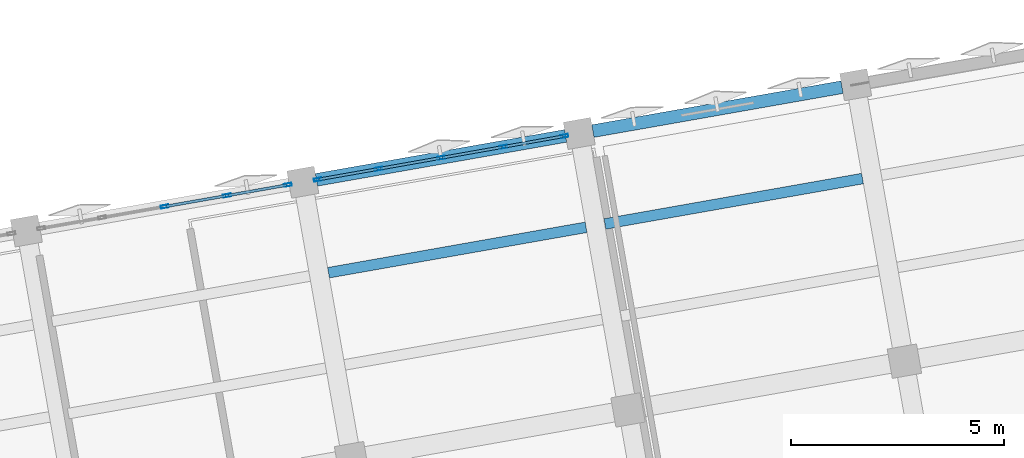
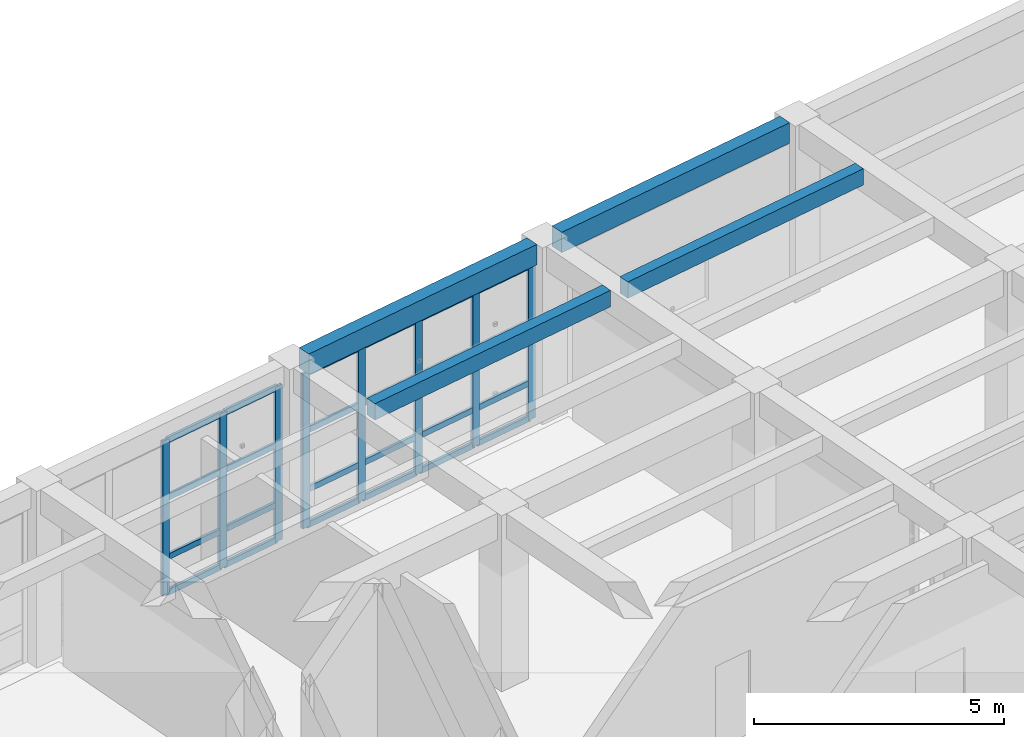
# One storey, part 17 of 48: 32 members, 4 beams, 2 elements without a shape of their own.
"""IFC4 building model written with IfcOpenShell, lengths in metres."""

import ifcopenshell
import ifcopenshell.guid

model = None  # the IFC model being written
_history = None  # IfcOwnerHistory: only IFC2X3 demands one
_inside = {}  # id of a spatial element -> (the spatial element, [elements in it])
_under = {}  # id of a project, library or spatial element -> (it, [spatial elements below it])
_declared = {}  # id of a project -> (the project, [libraries it declares])
_typed = {}  # id of a type object -> (the type object, [elements of that type])
_made_of = {}  # id of a material, layer set ... -> (it, [elements and type objects made of it])


def new_model(schema):
    """Start an empty IFC model of exactly this schema.

    Asked for "IFC4X3", IfcOpenShell would pick the latest addendum, in which some entities
    have other attributes; the version numbers below select the first issue.
    IFC2X3 requires an IfcOwnerHistory on every rooted entity: one is made here for all.
    """
    global model, _history
    if schema == "IFC4X3":
        model = ifcopenshell.file(schema_version=(4, 3, 0, 0))
    else:
        model = ifcopenshell.file(schema=schema)
    _inside.clear()
    _under.clear()
    _declared.clear()
    _typed.clear()
    _made_of.clear()
    _history = None
    if model.schema == "IFC2X3":
        org = make("IfcOrganization", Name="unknown")
        user = make(
            "IfcPersonAndOrganization",
            ThePerson=make("IfcPerson", FamilyName="unknown"),
            TheOrganization=org,
        )
        app = make(
            "IfcApplication",
            ApplicationDeveloper=org,
            Version="unknown",
            ApplicationFullName="unknown",
            ApplicationIdentifier="unknown",
        )
        _history = make(
            "IfcOwnerHistory",
            OwningUser=user,
            OwningApplication=app,
            ChangeAction="ADDED",
            CreationDate=0,
        )
    return model


def make(cls, **values):
    """One entity of the class cls with the attributes given. An attribute that is None is left unset."""
    return model.create_entity(
        cls, **{name: value for name, value in values.items() if value is not None}
    )


def rooted(cls, **values):
    """An entity with a GlobalId (a new one), such as an element, a storey or a relation."""
    return make(cls, GlobalId=ifcopenshell.guid.new(), OwnerHistory=_history, **values)


def si_unit(unit_type, name, prefix=None):
    """IfcSIUnit, for example si_unit("LENGTHUNIT", "METRE", prefix="MILLI")."""
    return make("IfcSIUnit", UnitType=unit_type, Prefix=prefix, Name=name)


def assignment(units):
    """IfcUnitAssignment: the units of a project."""
    return None if units is None else make("IfcUnitAssignment", Units=units)


def point(xyz):
    """IfcCartesianPoint."""
    return None if xyz is None else make("IfcCartesianPoint", Coordinates=xyz)


def direction(xyz):
    """IfcDirection."""
    return None if xyz is None else make("IfcDirection", DirectionRatios=xyz)


def frame(location, z_axis=None, x_axis=None):
    """IfcAxis2Placement3D, a coordinate frame: its origin and axes. An axis left out is left unset."""
    return make(
        "IfcAxis2Placement3D",
        Location=point(location),
        Axis=direction(z_axis),
        RefDirection=direction(x_axis),
    )


def frame_2d(location, x_axis=None):
    """IfcAxis2Placement2D, a coordinate frame in the plane: its origin and x axis."""
    return make(
        "IfcAxis2Placement2D", Location=point(location), RefDirection=direction(x_axis)
    )


def origin():
    """The frame at (0, 0, 0) with its axes left unset."""
    return frame((0.0, 0.0, 0.0))


def origin_2d():
    """The frame at (0, 0) in the plane with its x axis left unset."""
    return frame_2d((0.0, 0.0))


def place(relative_to, where):
    """IfcLocalPlacement: puts the frame where relative to a parent placement (None: the world)."""
    return make(
        "IfcLocalPlacement", PlacementRelTo=relative_to, RelativePlacement=where
    )


def context(
    kind, dimensions, precision=None, world=None, true_north=None, identifier=None
):
    """IfcGeometricRepresentationContext, for example the 3D "Model" context."""
    return make(
        "IfcGeometricRepresentationContext",
        ContextIdentifier=identifier,
        ContextType=kind,
        CoordinateSpaceDimension=dimensions,
        Precision=precision,
        WorldCoordinateSystem=world,
        TrueNorth=true_north,
    )


def subcontext(parent, identifier, kind, view, scale=None):
    """IfcGeometricRepresentationSubContext, for example "Body" below "Model"."""
    return make(
        "IfcGeometricRepresentationSubContext",
        ContextIdentifier=identifier,
        ContextType=kind,
        ParentContext=parent,
        TargetScale=scale,
        TargetView=view,
    )


def project(units=None, contexts=None):
    """IfcProject with its units and contexts."""
    return rooted(
        "IfcProject",
        Name="project",
        RepresentationContexts=contexts,
        UnitsInContext=assignment(units),
    )


def spatial(cls, under=None, at=None, **own):
    """A site, building, storey or space (cls), placed at a placement, below another one or the project."""
    s = rooted(cls, ObjectPlacement=at, **own)
    if under is not None:
        _under.setdefault(under.id(), (under, []))[1].append(s)
    return s


def profile(cls, at=None, kind="AREA", **sizes):
    """A parametric profile (cls). Its sizes go by their IFC names, for example OverallWidth=200.0."""
    return make(cls, ProfileType=kind, Position=at, **sizes)


def rectangle(**sizes):
    """IfcRectangleProfileDef."""
    return profile("IfcRectangleProfileDef", **sizes)


def hollow_rectangle(**sizes):
    """IfcRectangleHollowProfileDef."""
    return profile("IfcRectangleHollowProfileDef", **sizes)


def extrude(swept, where, along, depth):
    """IfcExtrudedAreaSolid: the profile swept, set in the frame where, extruded along a direction by depth."""
    return make(
        "IfcExtrudedAreaSolid",
        SweptArea=swept,
        Position=where,
        ExtrudedDirection=direction(along),
        Depth=depth,
    )


def shape(context_of_items, identifier, shape_type, items):
    """IfcShapeRepresentation: the items that make up one representation, for example the "Body"."""
    return make(
        "IfcShapeRepresentation",
        ContextOfItems=context_of_items,
        RepresentationIdentifier=identifier,
        RepresentationType=shape_type,
        Items=items,
    )


def material(Name=None, Category=None):
    """IfcMaterial."""
    return make("IfcMaterial", Name=Name, Category=Category)


def layer(
    of_material, thickness, ventilated=None, Name=None, Category=None, Priority=None
):
    """IfcMaterialLayer: one layer of a wall or slab, of a material (None: an air gap)."""
    return make(
        "IfcMaterialLayer",
        Material=of_material,
        LayerThickness=thickness,
        IsVentilated=ventilated,
        Name=Name,
        Category=Category,
        Priority=Priority,
    )


def layer_set(layers, Name=None):
    """IfcMaterialLayerSet."""
    return make("IfcMaterialLayerSet", MaterialLayers=layers, LayerSetName=Name)


def material_profile(
    of_material, cross_section, Name=None, Category=None, Priority=None
):
    """IfcMaterialProfile: a cross section and its material."""
    return make(
        "IfcMaterialProfile",
        Name=Name,
        Material=of_material,
        Profile=cross_section,
        Priority=Priority,
        Category=Category,
    )


def profile_set(profiles, Name=None, composite=None):
    """IfcMaterialProfileSet."""
    return make(
        "IfcMaterialProfileSet",
        Name=Name,
        MaterialProfiles=profiles,
        CompositeProfile=composite,
    )


def made_of(thing, what):
    """Note that an element or type object is made of a material, layer set ...; save() writes the relation."""
    if what is not None:
        _made_of.setdefault(what.id(), (what, []))[1].append(thing)
    return thing


def type_object(cls, material=None, **own):
    """A type object (cls), such as IfcWallType, which elements share."""
    return made_of(rooted(cls, **own), material)


def element(
    cls,
    number,
    at=None,
    inside=None,
    cuts=None,
    type_object=None,
    material=None,
    context=None,
    identifier="Body",
    shape_type=None,
    held_by="IfcProductDefinitionShape",
    body=None,
    shapes=None,
    **own,
):
    """One element of the class cls, such as IfcWall. Its Tag is "e" and its number.

    at: its placement. inside: the storey or other place that contains it. cuts: it is an
    opening in that element (IfcRelVoidsElement). A single representation is given by context,
    identifier, shape_type and body (its items); several are given by shapes. held_by: the class
    of the entity that holds the representations. save() writes the other relations.
    """
    e = rooted(cls, Tag="e%d" % number, ObjectPlacement=at, **own)
    if body is not None:
        shapes = [shape(context, identifier, shape_type, body)]
    if shapes is not None:
        e.Representation = make(held_by, Representations=shapes)
    if inside is not None:
        _inside.setdefault(inside.id(), (inside, []))[1].append(e)
    if cuts is not None:
        rooted(
            "IfcRelVoidsElement", RelatingBuildingElement=cuts, RelatedOpeningElement=e
        )
    if type_object is not None:
        _typed.setdefault(type_object.id(), (type_object, []))[1].append(e)
    return made_of(e, material)


def aggregate(whole, parts):
    """IfcRelAggregates: a whole, such as a stair, and the parts it consists of."""
    return rooted("IfcRelAggregates", RelatingObject=whole, RelatedObjects=parts)


def save(model, path):
    """Write the relations noted so far, then the file.

    IfcRelAggregates (storeys below a building ...), IfcRelContainedInSpatialStructure (elements
    in a storey), IfcRelDefinesByType, IfcRelAssociatesMaterial and IfcRelDeclares: one each for
    every whole, place, type object, material and project.
    """
    for whole, parts in _under.values():
        aggregate(whole, parts)
    for where, things in _inside.values():
        rooted(
            "IfcRelContainedInSpatialStructure",
            RelatedElements=things,
            RelatingStructure=where,
        )
    for kind, things in _typed.values():
        rooted("IfcRelDefinesByType", RelatedObjects=things, RelatingType=kind)
    for what, things in _made_of.values():
        rooted("IfcRelAssociatesMaterial", RelatedObjects=things, RelatingMaterial=what)
    for by, libraries in _declared.values():
        rooted("IfcRelDeclares", RelatingContext=by, RelatedDefinitions=libraries)
    model.write(path)


model = new_model("IFC4")

# Units and contexts
model_context = context("Model", 3, precision=1e-05, world=origin(), true_north=direction((0.0, 1.0)))
body_context = subcontext(model_context, "Body", "Model", "MODEL_VIEW")
ifc_project = project(units=[si_unit("LENGTHUNIT", "METRE"), si_unit("AREAUNIT", "SQUARE_METRE"), si_unit("VOLUMEUNIT", "CUBIC_METRE"), si_unit("PLANEANGLEUNIT", "RADIAN"), si_unit("MASSUNIT", "GRAM", prefix="KILO")], contexts=[model_context])

# Site, building, storey
site_placement = place(None, origin())
site = spatial("IfcSite", under=ifc_project, at=site_placement, CompositionType="ELEMENT")
building_placement = place(site_placement, origin())
building = spatial("IfcBuilding", under=site, at=building_placement, Name="Kharisveld Research Institute", CompositionType="ELEMENT")
storey_placement = place(building_placement, frame((0.0, 0.0, 14.10009765625)))
storey = spatial("IfcBuildingStorey", under=building, at=storey_placement, Name="L03", CompositionType="ELEMENT", Elevation=14.10009765625)

# Curtain wall, members
ifc_material_1 = material(Name="Thermally Broken Aluminium Curtain Wall", Category="aluminium")
ifc_layer_1 = layer(ifc_material_1, 0.159912109375)
ifc_layer_set_1 = layer_set([ifc_layer_1], Name="CW_SYS_02")
curtain_wall_type_1 = type_object("IfcCurtainWallType", Name="CW_SYS_02", PredefinedType="NOTDEFINED", material=ifc_layer_set_1)
curtain_wall_1_placement = place(storey_placement, origin())
curtain_wall_1 = element("IfcCurtainWall", 1, at=curtain_wall_1_placement, inside=storey, type_object=curtain_wall_type_1, Name="CW:V1:L03:N2", PredefinedType="NOTDEFINED")
ifc_material_2 = material(Name="Anodised Aluminium AW-6063-T6", Category="aluminium")
ifc_material_profile_1 = material_profile(ifc_material_2, hollow_rectangle(XDim=0.070068359375, YDim=0.179931640625, WallThickness=0.00439453125, at=origin_2d()))
ifc_profile_set_1 = profile_set([ifc_material_profile_1], Name="Anodised Aluminium AW-6063-T6")
member_type_1 = type_object("IfcMemberType", Name="CW_MUL_180", PredefinedType="MULLION", material=ifc_profile_set_1)
member_1_placement = place(storey_placement, frame((18.010986328125, 57.374267578125, 0.0), z_axis=(0.0, 0.0, 1.0), x_axis=(-0.173648266375, 0.984807737371, 0.0)))
member_1 = element("IfcMember", 2, at=member_1_placement, type_object=member_type_1, Name="CW-02 mullion 3", PredefinedType="MULLION", context=body_context, shape_type="SweptSolid", body=[
    extrude(hollow_rectangle(XDim=0.070068359375, YDim=0.179931640625, WallThickness=0.00439453125, at=origin_2d()), origin(), (0.0, 0.0, 1.0), 3.77978515625),
])
member_2_placement = place(storey_placement, frame((19.478515625, 57.633056640625, 0.0), z_axis=(0.0, 0.0, 1.0), x_axis=(-0.173648266375, 0.984807737371, 0.0)))
member_2 = element("IfcMember", 3, at=member_2_placement, type_object=member_type_1, Name="CW-02 mullion 4", PredefinedType="MULLION", context=body_context, shape_type="SweptSolid", body=[
    extrude(hollow_rectangle(XDim=0.070068359375, YDim=0.179931640625, WallThickness=0.00439453125, at=origin_2d()), origin(), (0.0, 0.0, 1.0), 3.77978515625),
])
member_3_placement = place(storey_placement, frame((20.911376953125, 57.8857421875, 0.0), z_axis=(0.0, 0.0, 1.0), x_axis=(-0.173648266375, 0.984807737371, 0.0)))
member_3 = element("IfcMember", 4, at=member_3_placement, type_object=member_type_1, Name="CW-02 mullion 5", PredefinedType="MULLION", context=body_context, shape_type="SweptSolid", body=[
    extrude(hollow_rectangle(XDim=0.070068359375, YDim=0.179931640625, WallThickness=0.00439453125, at=origin_2d()), origin(), (0.0, 0.0, 1.0), 3.77978515625),
])

ifc_material_3 = material(Name="Thermally Broken Aluminium Curtain Wall", Category="aluminium")
ifc_layer_2 = layer(ifc_material_3, 0.159912109375)
ifc_layer_set_2 = layer_set([ifc_layer_2], Name="CW_SYS_03")
curtain_wall_type_2 = type_object("IfcCurtainWallType", Name="CW_SYS_03", PredefinedType="NOTDEFINED", material=ifc_layer_set_2)
curtain_wall_2_placement = place(storey_placement, origin())
curtain_wall_2 = element("IfcCurtainWall", 5, at=curtain_wall_2_placement, inside=storey, type_object=curtain_wall_type_2, Name="CW:V1:L03:N3", PredefinedType="NOTDEFINED")
member_4_placement = place(storey_placement, frame((21.610595703125, 58.009033203125, 0.0), z_axis=(0.0, 0.0, 1.0), x_axis=(-0.173648295062, 0.984807732312, 0.0)))
member_4 = element("IfcMember", 6, at=member_4_placement, type_object=member_type_1, Name="CW-03 mullion 1", PredefinedType="MULLION", context=body_context, shape_type="SweptSolid", body=[
    extrude(hollow_rectangle(XDim=0.070068359375, YDim=0.179931640625, WallThickness=0.00439453125, at=origin_2d()), origin(), (0.0, 0.0, 1.0), 3.77978515625),
])
member_5_placement = place(storey_placement, frame((23.04345703125, 58.26171875, 0.0), z_axis=(0.0, 0.0, 1.0), x_axis=(-0.173648295062, 0.984807732312, 0.0)))
member_5 = element("IfcMember", 7, at=member_5_placement, type_object=member_type_1, Name="CW-03 mullion 2", PredefinedType="MULLION", context=body_context, shape_type="SweptSolid", body=[
    extrude(hollow_rectangle(XDim=0.070068359375, YDim=0.179931640625, WallThickness=0.00439453125, at=origin_2d()), origin(), (0.0, 0.0, 1.0), 3.77978515625),
])
member_6_placement = place(storey_placement, frame((24.5107421875, 58.5205078125, 0.0), z_axis=(0.0, 0.0, 1.0), x_axis=(-0.173648295062, 0.984807732312, 0.0)))
member_6 = element("IfcMember", 8, at=member_6_placement, type_object=member_type_1, Name="CW-03 mullion 3", PredefinedType="MULLION", context=body_context, shape_type="SweptSolid", body=[
    extrude(hollow_rectangle(XDim=0.070068359375, YDim=0.179931640625, WallThickness=0.00439453125, at=origin_2d()), origin(), (0.0, 0.0, 1.0), 3.77978515625),
])
member_7_placement = place(storey_placement, frame((25.978271484375, 58.779296875, 0.0), z_axis=(0.0, 0.0, 1.0), x_axis=(-0.173648295062, 0.984807732312, 0.0)))
member_7 = element("IfcMember", 9, at=member_7_placement, type_object=member_type_1, Name="CW-03 mullion 4", PredefinedType="MULLION", context=body_context, shape_type="SweptSolid", body=[
    extrude(hollow_rectangle(XDim=0.070068359375, YDim=0.179931640625, WallThickness=0.00439453125, at=origin_2d()), origin(), (0.0, 0.0, 1.0), 3.77978515625),
])
member_8_placement = place(storey_placement, frame((27.4111328125, 59.03173828125, 0.0), z_axis=(0.0, 0.0, 1.0), x_axis=(-0.173648295062, 0.984807732312, 0.0)))
member_8 = element("IfcMember", 10, at=member_8_placement, type_object=member_type_1, Name="CW-03 mullion 5", PredefinedType="MULLION", context=body_context, shape_type="SweptSolid", body=[
    extrude(hollow_rectangle(XDim=0.070068359375, YDim=0.179931640625, WallThickness=0.00439453125, at=origin_2d()), origin(), (0.0, 0.0, 1.0), 3.77978515625),
])

# Member
ifc_material_4 = material(Name="Anodised Aluminium AW-6063-T6", Category="aluminium")
ifc_material_profile_2 = material_profile(ifc_material_4, hollow_rectangle(XDim=0.06494140625, YDim=0.139892578125, WallThickness=0.00390625, at=origin_2d()))
ifc_profile_set_2 = profile_set([ifc_material_profile_2], Name="Anodised Aluminium AW-6063-T6")
member_type_2 = type_object("IfcMemberType", Name="CW_TRN_140", PredefinedType="USERDEFINED", material=ifc_profile_set_2)
member_9_placement = place(storey_placement, frame((18.045654296875, 57.38037109375, 0.032470703125), z_axis=(0.984807780811, 0.17364802001, 0.0), x_axis=(-0.17364802001, 0.984807780811, 0.0)))
member_9 = element("IfcMember", 11, at=member_9_placement, type_object=member_type_2, Name="CW-02 transom 3.1", ObjectType="TRANSOM", PredefinedType="USERDEFINED", context=body_context, shape_type="SweptSolid", body=[
    extrude(hollow_rectangle(XDim=0.06494140625, YDim=0.139892578125, WallThickness=0.00390625, at=origin_2d()), origin(), (0.0, 0.0, 1.0), 1.419921875),
])

member_10_placement = place(storey_placement, frame((18.045654296875, 57.38037109375, 0.89990234375), z_axis=(0.984807780811, 0.17364802001, 0.0), x_axis=(-0.17364802001, 0.984807780811, 0.0)))
member_10 = element("IfcMember", 12, at=member_10_placement, type_object=member_type_2, Name="CW-02 transom 3.2", ObjectType="TRANSOM", PredefinedType="USERDEFINED", context=body_context, shape_type="SweptSolid", body=[
    extrude(hollow_rectangle(XDim=0.06494140625, YDim=0.139892578125, WallThickness=0.00390625, at=origin_2d()), origin(), (0.0, 0.0, 1.0), 1.419921875),
])

member_11_placement = place(storey_placement, frame((18.045654296875, 57.38037109375, 2.349853515625), z_axis=(0.984807780811, 0.17364802001, 0.0), x_axis=(-0.17364802001, 0.984807780811, 0.0)))
member_11 = element("IfcMember", 13, at=member_11_placement, type_object=member_type_2, Name="CW-02 transom 3.3", ObjectType="TRANSOM", PredefinedType="USERDEFINED", context=body_context, shape_type="SweptSolid", body=[
    extrude(hollow_rectangle(XDim=0.06494140625, YDim=0.139892578125, WallThickness=0.00390625, at=origin_2d()), origin(), (0.0, 0.0, 1.0), 1.419921875),
])

member_12_placement = place(storey_placement, frame((18.045654296875, 57.38037109375, 3.747314453125), z_axis=(0.984807780811, 0.17364802001, 0.0), x_axis=(-0.17364802001, 0.984807780811, 0.0)))
member_12 = element("IfcMember", 14, at=member_12_placement, type_object=member_type_2, Name="CW-02 transom 3.4", ObjectType="TRANSOM", PredefinedType="USERDEFINED", context=body_context, shape_type="SweptSolid", body=[
    extrude(hollow_rectangle(XDim=0.06494140625, YDim=0.139892578125, WallThickness=0.00390625, at=origin_2d()), origin(), (0.0, 0.0, 1.0), 1.419921875),
])

member_13_placement = place(storey_placement, frame((19.512939453125, 57.63916015625, 0.032470703125), z_axis=(0.984811937912, 0.173624442249, 0.0), x_axis=(-0.173624442249, 0.984811937912, 0.0)))
member_13 = element("IfcMember", 15, at=member_13_placement, type_object=member_type_2, Name="CW-02 transom 4.1", ObjectType="TRANSOM", PredefinedType="USERDEFINED", context=body_context, shape_type="SweptSolid", body=[
    extrude(hollow_rectangle(XDim=0.06494140625, YDim=0.139892578125, WallThickness=0.00390625, at=origin_2d()), origin(), (0.0, 0.0, 1.0), 1.385009765625),
])

member_14_placement = place(storey_placement, frame((19.512939453125, 57.63916015625, 0.89990234375), z_axis=(0.984811937912, 0.173624442249, 0.0), x_axis=(-0.173624442249, 0.984811937912, 0.0)))
member_14 = element("IfcMember", 16, at=member_14_placement, type_object=member_type_2, Name="CW-02 transom 4.2", ObjectType="TRANSOM", PredefinedType="USERDEFINED", context=body_context, shape_type="SweptSolid", body=[
    extrude(hollow_rectangle(XDim=0.06494140625, YDim=0.139892578125, WallThickness=0.00390625, at=origin_2d()), origin(), (0.0, 0.0, 1.0), 1.385009765625),
])

member_15_placement = place(storey_placement, frame((19.512939453125, 57.63916015625, 2.349853515625), z_axis=(0.984811937912, 0.173624442249, 0.0), x_axis=(-0.173624442249, 0.984811937912, 0.0)))
member_15 = element("IfcMember", 17, at=member_15_placement, type_object=member_type_2, Name="CW-02 transom 4.3", ObjectType="TRANSOM", PredefinedType="USERDEFINED", context=body_context, shape_type="SweptSolid", body=[
    extrude(hollow_rectangle(XDim=0.06494140625, YDim=0.139892578125, WallThickness=0.00390625, at=origin_2d()), origin(), (0.0, 0.0, 1.0), 1.385009765625),
])

member_16_placement = place(storey_placement, frame((19.512939453125, 57.63916015625, 3.747314453125), z_axis=(0.984811937912, 0.173624442249, 0.0), x_axis=(-0.173624442249, 0.984811937912, 0.0)))
member_16 = element("IfcMember", 18, at=member_16_placement, type_object=member_type_2, Name="CW-02 transom 4.4", ObjectType="TRANSOM", PredefinedType="USERDEFINED", context=body_context, shape_type="SweptSolid", body=[
    extrude(hollow_rectangle(XDim=0.06494140625, YDim=0.139892578125, WallThickness=0.00390625, at=origin_2d()), origin(), (0.0, 0.0, 1.0), 1.385009765625),
])

aggregate(curtain_wall_1, [member_1, member_2, member_3, member_9, member_10, member_11, member_12, member_13, member_14, member_15, member_16])

member_17_placement = place(storey_placement, frame((21.64501953125, 58.01513671875, 0.032470703125), z_axis=(0.984811937912, 0.173624442249, 0.0), x_axis=(-0.173624442249, 0.984811937912, 0.0)))
member_17 = element("IfcMember", 19, at=member_17_placement, type_object=member_type_2, Name="CW-03 transom 1.1", ObjectType="TRANSOM", PredefinedType="USERDEFINED", context=body_context, shape_type="SweptSolid", body=[
    extrude(hollow_rectangle(XDim=0.06494140625, YDim=0.139892578125, WallThickness=0.00390625, at=origin_2d()), origin(), (0.0, 0.0, 1.0), 1.385009765625),
])

member_18_placement = place(storey_placement, frame((21.64501953125, 58.01513671875, 0.89990234375), z_axis=(0.984811937912, 0.173624442249, 0.0), x_axis=(-0.173624442249, 0.984811937912, 0.0)))
member_18 = element("IfcMember", 20, at=member_18_placement, type_object=member_type_2, Name="CW-03 transom 1.2", ObjectType="TRANSOM", PredefinedType="USERDEFINED", context=body_context, shape_type="SweptSolid", body=[
    extrude(hollow_rectangle(XDim=0.06494140625, YDim=0.139892578125, WallThickness=0.00390625, at=origin_2d()), origin(), (0.0, 0.0, 1.0), 1.385009765625),
])

member_19_placement = place(storey_placement, frame((21.64501953125, 58.01513671875, 2.349853515625), z_axis=(0.984811937912, 0.173624442249, 0.0), x_axis=(-0.173624442249, 0.984811937912, 0.0)))
member_19 = element("IfcMember", 21, at=member_19_placement, type_object=member_type_2, Name="CW-03 transom 1.3", ObjectType="TRANSOM", PredefinedType="USERDEFINED", context=body_context, shape_type="SweptSolid", body=[
    extrude(hollow_rectangle(XDim=0.06494140625, YDim=0.139892578125, WallThickness=0.00390625, at=origin_2d()), origin(), (0.0, 0.0, 1.0), 1.385009765625),
])

member_20_placement = place(storey_placement, frame((21.64501953125, 58.01513671875, 3.747314453125), z_axis=(0.984811937912, 0.173624442249, 0.0), x_axis=(-0.173624442249, 0.984811937912, 0.0)))
member_20 = element("IfcMember", 22, at=member_20_placement, type_object=member_type_2, Name="CW-03 transom 1.4", ObjectType="TRANSOM", PredefinedType="USERDEFINED", context=body_context, shape_type="SweptSolid", body=[
    extrude(hollow_rectangle(XDim=0.06494140625, YDim=0.139892578125, WallThickness=0.00390625, at=origin_2d()), origin(), (0.0, 0.0, 1.0), 1.385009765625),
])

member_21_placement = place(storey_placement, frame((23.077880859375, 58.267822265625, 0.032470703125), z_axis=(0.984807780811, 0.17364802001, 0.0), x_axis=(-0.17364802001, 0.984807780811, 0.0)))
member_21 = element("IfcMember", 23, at=member_21_placement, type_object=member_type_2, Name="CW-03 transom 2.1", ObjectType="TRANSOM", PredefinedType="USERDEFINED", context=body_context, shape_type="SweptSolid", body=[
    extrude(hollow_rectangle(XDim=0.06494140625, YDim=0.139892578125, WallThickness=0.00390625, at=origin_2d()), origin(), (0.0, 0.0, 1.0), 1.419921875),
])

member_22_placement = place(storey_placement, frame((23.077880859375, 58.267822265625, 0.89990234375), z_axis=(0.984807780811, 0.17364802001, 0.0), x_axis=(-0.17364802001, 0.984807780811, 0.0)))
member_22 = element("IfcMember", 24, at=member_22_placement, type_object=member_type_2, Name="CW-03 transom 2.2", ObjectType="TRANSOM", PredefinedType="USERDEFINED", context=body_context, shape_type="SweptSolid", body=[
    extrude(hollow_rectangle(XDim=0.06494140625, YDim=0.139892578125, WallThickness=0.00390625, at=origin_2d()), origin(), (0.0, 0.0, 1.0), 1.419921875),
])

member_23_placement = place(storey_placement, frame((23.077880859375, 58.267822265625, 2.349853515625), z_axis=(0.984807780811, 0.17364802001, 0.0), x_axis=(-0.17364802001, 0.984807780811, 0.0)))
member_23 = element("IfcMember", 25, at=member_23_placement, type_object=member_type_2, Name="CW-03 transom 2.3", ObjectType="TRANSOM", PredefinedType="USERDEFINED", context=body_context, shape_type="SweptSolid", body=[
    extrude(hollow_rectangle(XDim=0.06494140625, YDim=0.139892578125, WallThickness=0.00390625, at=origin_2d()), origin(), (0.0, 0.0, 1.0), 1.419921875),
])

member_24_placement = place(storey_placement, frame((23.077880859375, 58.267822265625, 3.747314453125), z_axis=(0.984807780811, 0.17364802001, 0.0), x_axis=(-0.17364802001, 0.984807780811, 0.0)))
member_24 = element("IfcMember", 26, at=member_24_placement, type_object=member_type_2, Name="CW-03 transom 2.4", ObjectType="TRANSOM", PredefinedType="USERDEFINED", context=body_context, shape_type="SweptSolid", body=[
    extrude(hollow_rectangle(XDim=0.06494140625, YDim=0.139892578125, WallThickness=0.00390625, at=origin_2d()), origin(), (0.0, 0.0, 1.0), 1.419921875),
])

member_25_placement = place(storey_placement, frame((24.54541015625, 58.526611328125, 0.032470703125), z_axis=(0.984802595218, 0.173677426431, 0.0), x_axis=(-0.173677426431, 0.984802595218, 0.0)))
member_25 = element("IfcMember", 27, at=member_25_placement, type_object=member_type_2, Name="CW-03 transom 3.1", ObjectType="TRANSOM", PredefinedType="USERDEFINED", context=body_context, shape_type="SweptSolid", body=[
    extrude(hollow_rectangle(XDim=0.06494140625, YDim=0.139892578125, WallThickness=0.00390625, at=origin_2d()), origin(), (0.0, 0.0, 1.0), 1.419677734375),
])

member_26_placement = place(storey_placement, frame((24.54541015625, 58.526611328125, 0.89990234375), z_axis=(0.984802595218, 0.173677426431, 0.0), x_axis=(-0.173677426431, 0.984802595218, 0.0)))
member_26 = element("IfcMember", 28, at=member_26_placement, type_object=member_type_2, Name="CW-03 transom 3.2", ObjectType="TRANSOM", PredefinedType="USERDEFINED", context=body_context, shape_type="SweptSolid", body=[
    extrude(hollow_rectangle(XDim=0.06494140625, YDim=0.139892578125, WallThickness=0.00390625, at=origin_2d()), origin(), (0.0, 0.0, 1.0), 1.419677734375),
])

member_27_placement = place(storey_placement, frame((24.54541015625, 58.526611328125, 2.349853515625), z_axis=(0.984802595218, 0.173677426431, 0.0), x_axis=(-0.173677426431, 0.984802595218, 0.0)))
member_27 = element("IfcMember", 29, at=member_27_placement, type_object=member_type_2, Name="CW-03 transom 3.3", ObjectType="TRANSOM", PredefinedType="USERDEFINED", context=body_context, shape_type="SweptSolid", body=[
    extrude(hollow_rectangle(XDim=0.06494140625, YDim=0.139892578125, WallThickness=0.00390625, at=origin_2d()), origin(), (0.0, 0.0, 1.0), 1.419677734375),
])

member_28_placement = place(storey_placement, frame((24.54541015625, 58.526611328125, 3.747314453125), z_axis=(0.984802595218, 0.173677426431, 0.0), x_axis=(-0.173677426431, 0.984802595218, 0.0)))
member_28 = element("IfcMember", 30, at=member_28_placement, type_object=member_type_2, Name="CW-03 transom 3.4", ObjectType="TRANSOM", PredefinedType="USERDEFINED", context=body_context, shape_type="SweptSolid", body=[
    extrude(hollow_rectangle(XDim=0.06494140625, YDim=0.139892578125, WallThickness=0.00390625, at=origin_2d()), origin(), (0.0, 0.0, 1.0), 1.419677734375),
])

member_29_placement = place(storey_placement, frame((26.0126953125, 58.785400390625, 0.032470703125), z_axis=(0.984811937912, 0.173624442249, 0.0), x_axis=(-0.173624442249, 0.984811937912, 0.0)))
member_29 = element("IfcMember", 31, at=member_29_placement, type_object=member_type_2, Name="CW-03 transom 4.1", ObjectType="TRANSOM", PredefinedType="USERDEFINED", context=body_context, shape_type="SweptSolid", body=[
    extrude(hollow_rectangle(XDim=0.06494140625, YDim=0.139892578125, WallThickness=0.00390625, at=origin_2d()), origin(), (0.0, 0.0, 1.0), 1.385009765625),
])

member_30_placement = place(storey_placement, frame((26.0126953125, 58.785400390625, 0.89990234375), z_axis=(0.984811937912, 0.173624442249, 0.0), x_axis=(-0.173624442249, 0.984811937912, 0.0)))
member_30 = element("IfcMember", 32, at=member_30_placement, type_object=member_type_2, Name="CW-03 transom 4.2", ObjectType="TRANSOM", PredefinedType="USERDEFINED", context=body_context, shape_type="SweptSolid", body=[
    extrude(hollow_rectangle(XDim=0.06494140625, YDim=0.139892578125, WallThickness=0.00390625, at=origin_2d()), origin(), (0.0, 0.0, 1.0), 1.385009765625),
])

member_31_placement = place(storey_placement, frame((26.0126953125, 58.785400390625, 2.349853515625), z_axis=(0.984811937912, 0.173624442249, 0.0), x_axis=(-0.173624442249, 0.984811937912, 0.0)))
member_31 = element("IfcMember", 33, at=member_31_placement, type_object=member_type_2, Name="CW-03 transom 4.3", ObjectType="TRANSOM", PredefinedType="USERDEFINED", context=body_context, shape_type="SweptSolid", body=[
    extrude(hollow_rectangle(XDim=0.06494140625, YDim=0.139892578125, WallThickness=0.00390625, at=origin_2d()), origin(), (0.0, 0.0, 1.0), 1.385009765625),
])

member_32_placement = place(storey_placement, frame((26.0126953125, 58.785400390625, 3.747314453125), z_axis=(0.984811937912, 0.173624442249, 0.0), x_axis=(-0.173624442249, 0.984811937912, 0.0)))
member_32 = element("IfcMember", 34, at=member_32_placement, type_object=member_type_2, Name="CW-03 transom 4.4", ObjectType="TRANSOM", PredefinedType="USERDEFINED", context=body_context, shape_type="SweptSolid", body=[
    extrude(hollow_rectangle(XDim=0.06494140625, YDim=0.139892578125, WallThickness=0.00390625, at=origin_2d()), origin(), (0.0, 0.0, 1.0), 1.385009765625),
])

aggregate(curtain_wall_2, [member_4, member_5, member_6, member_7, member_8, member_17, member_18, member_19, member_20, member_21, member_22, member_23, member_24, member_25, member_26, member_27, member_28, member_29, member_30, member_31, member_32])

# Beams
ifc_material_5 = material(Name="Concrete C40/50", Category="concrete")
ifc_material_profile_3 = material_profile(ifc_material_5, rectangle(XDim=0.300048828125, YDim=0.5, at=origin_2d()))
ifc_profile_set_3 = profile_set([ifc_material_profile_3], Name="Concrete C40/50")
beam_type_1 = type_object("IfcBeamType", Name="SP_RC_300x500", PredefinedType="SPANDREL", material=ifc_profile_set_3)
for number, where, z_axis, x_axis, name in (
    (35, (21.5810546875, 58.00390625, 4.059814453125), (0.984807920462, 0.173647228007, 0.0), (-0.173647228007, 0.984807920462, 0.0), "BM:V1:L03:U3_3"),
    (36, (28.080810546875, 59.14990234375, 4.059814453125), (0.984807920462, 0.173647228007, 0.0), (-0.173647228007, 0.984807920462, 0.0), "BM:V1:L03:U4_3"),
):
    element("IfcBeam", number, at=place(storey_placement, frame(where, z_axis=z_axis, x_axis=x_axis)), inside=storey, type_object=beam_type_1, Name=name, PredefinedType="SPANDREL", context=body_context, shape_type="SweptSolid", body=[
        extrude(rectangle(XDim=0.300048828125, YDim=0.5, at=origin_2d()), origin(), (0.0, 0.0, 1.0), 5.949951171875),
    ])
ifc_material_6 = material(Name="Concrete C40/50", Category="concrete")
ifc_material_profile_4 = material_profile(ifc_material_6, rectangle(XDim=0.25, YDim=0.39990234375, at=origin_2d()))
ifc_profile_set_4 = profile_set([ifc_material_profile_4], Name="Concrete C40/50")
beam_type_2 = type_object("IfcBeamType", Name="WB_RC_250x400", PredefinedType="JOIST", material=ifc_profile_set_4)
for number, where, z_axis, x_axis, name in (
    (37, (21.864501953125, 55.81982421875, 4.10986328125), (0.984803134643, 0.173674367706, 0.0), (-0.173674367706, 0.984803134643, 0.0), "BM:V1:L03:J_3_2_R2"),
    (38, (28.3642578125, 56.966064453125, 4.10986328125), (0.984809923515, 0.173635867682, 0.0), (-0.173635867682, 0.984809923515, 0.0), "BM:V1:L03:J_4_2_R2"),
):
    element("IfcBeam", number, at=place(storey_placement, frame(where, z_axis=z_axis, x_axis=x_axis)), inside=storey, type_object=beam_type_2, Name=name, PredefinedType="JOIST", context=body_context, shape_type="SweptSolid", body=[
        extrude(rectangle(XDim=0.25, YDim=0.39990234375, at=origin_2d()), origin(), (0.0, 0.0, 1.0), 6.150146484375),
    ])

save(model, "model.ifc")
